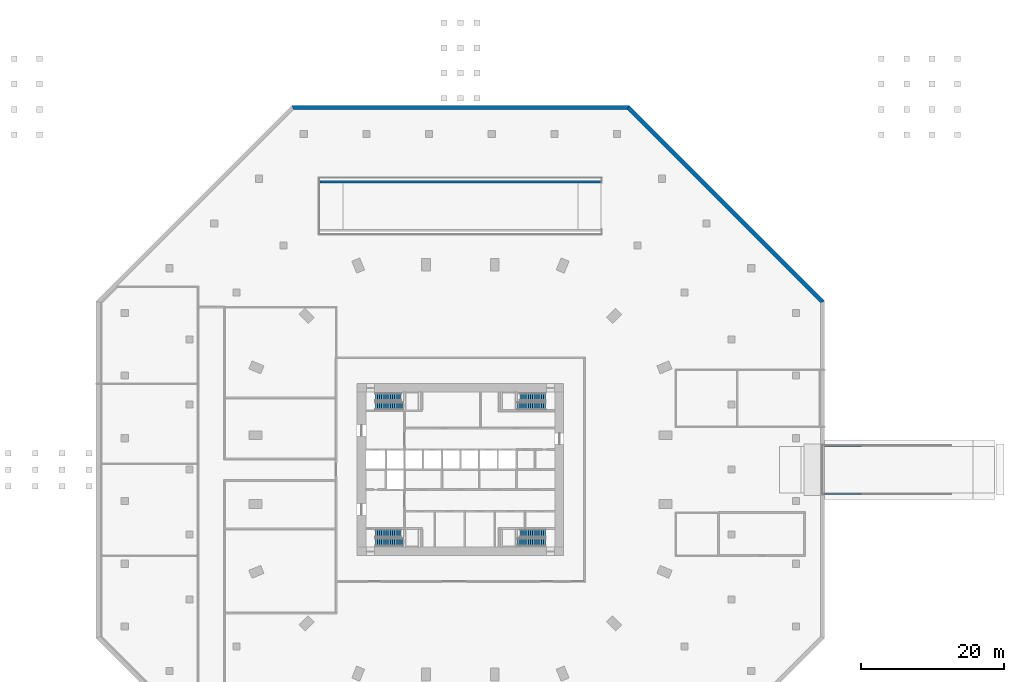
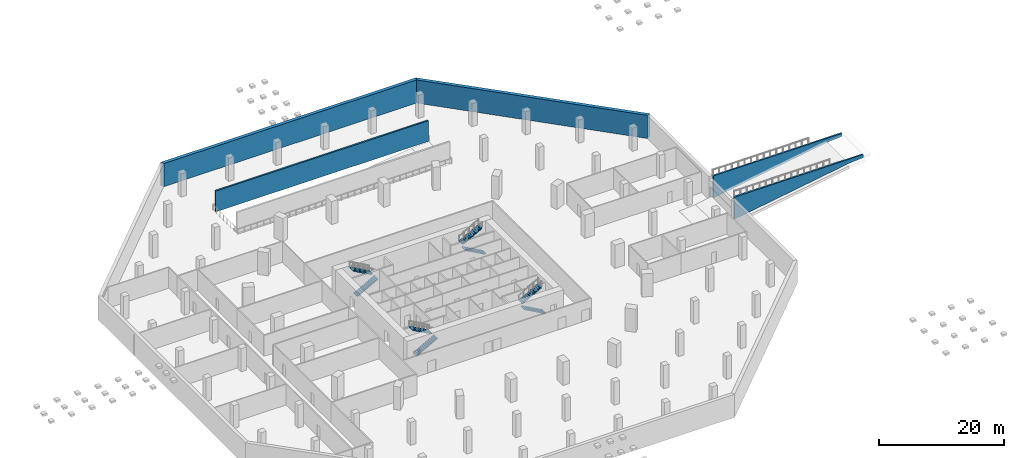
# One storey, part 10 of 11: 8 stair flights, 5 walls, 4 elements without a shape of their own.
"""IFC4 building model written with IfcOpenShell, lengths in metres."""

from ifc_helpers import new_model, si_unit, direction, frame, frame_2d, origin, place, context, subcontext, project, spatial, polyline, rectangle, outline, extrude, material, layer, layer_set, type_object, element, aggregate, save


model = new_model("IFC4")

# Units and contexts
model_context = context("Model", 3, precision=1e-05, world=origin(), true_north=direction((0.0, 1.0)))
body_context = subcontext(model_context, "Body", "Model", "MODEL_VIEW")
ifc_project = project(units=[si_unit("LENGTHUNIT", "METRE"), si_unit("AREAUNIT", "SQUARE_METRE"), si_unit("VOLUMEUNIT", "CUBIC_METRE"), si_unit("PLANEANGLEUNIT", "RADIAN"), si_unit("MASSUNIT", "GRAM", prefix="KILO")], contexts=[model_context])

# Site, building, storey
site_placement = place(None, origin())
site = spatial("IfcSite", under=ifc_project, at=site_placement, CompositionType="ELEMENT")
building_placement = place(site_placement, origin())
building = spatial("IfcBuilding", under=site, at=building_placement, Name="Msitu Wima Residences", CompositionType="ELEMENT")
storey_placement = place(building_placement, frame((0.0, 0.0, -4.5)))
storey = spatial("IfcBuildingStorey", under=building, at=storey_placement, Name="B1", CompositionType="ELEMENT", Elevation=-4.5)

# Walls
ifc_material_1 = material(Name="Facing brick")
ifc_layer_1 = layer(ifc_material_1, 0.06494140625, Name="Facing brick")
ifc_material_2 = material(Name="Concrete C40/50", Category="concrete")
ifc_layer_2 = layer(ifc_material_2, 0.235107421875, Name="Concrete C40/50")
ifc_layer_set_1 = layer_set([ifc_layer_1, ifc_layer_2], Name="Concrete C40/50")
wall_type_1 = type_object("IfcWallType", Name="Ramp retaining wall RW300", PredefinedType="SOLIDWALL", material=ifc_layer_set_1)
for number, where, z_axis, x_axis, name in (
    (1, (50.800048828125, -3.39990234375, 0.35009765625), (0.0, 0.0, 1.0), (1.0, 0.0, 0.0), "Ramp retaining wall S"),
    (2, (50.800048828125, 3.39990234375, 0.35009765625), (0.0, 0.0, 1.0), (1.0, 0.0, 0.0), "Ramp retaining wall N"),
):
    element("IfcWall", number, at=place(storey_placement, frame(where, z_axis=z_axis, x_axis=x_axis)), inside=storey, type_object=wall_type_1, Name=name, PredefinedType="SOLIDWALL", context=body_context, shape_type="SweptSolid", body=[
        extrude(outline(polyline([(0.0, 0.0), (20.699951171875, 3.449951171875), (23.699951171875, 3.699951171875), (23.699951171875, 4.2998046875), (0.0, 4.2998046875), (0.0, 0.0)])), frame((0.0, 0.14990234375, 0.0), z_axis=(0.0, -1.0, 0.0), x_axis=(1.0, 0.0, 0.0)), (0.0, 0.0, 1.0), 0.300048828125),
    ])
ifc_material_3 = material(Name="Concrete C60/75", Category="concrete")
ifc_layer_3 = layer(ifc_material_3, 0.300048828125)
ifc_layer_set_2 = layer_set([ifc_layer_3], Name="Concrete C60/75")
wall_type_2 = type_object("IfcWallType", Name="Ramp tunnel wall RT300", PredefinedType="SOLIDWALL", material=ifc_layer_set_2)
wall_1_placement = place(storey_placement, frame((-19.60009765625, 40.14990234375, 0.0), z_axis=(0.0, 0.0, 1.0), x_axis=(1.0, 0.0, 0.0)))
element("IfcWall", 3, at=wall_1_placement, inside=storey, type_object=wall_type_2, Name="Ramp tunnel wall", PredefinedType="SOLIDWALL", context=body_context, shape_type="SweptSolid", body=[
    extrude(rectangle(XDim=39.2001953125, YDim=0.300048828125, at=frame_2d((19.60009765625, 0.0))), origin(), (0.0, 0.0, 1.0), 4.050048828125),
])
ifc_layer_4 = layer(ifc_material_3, 0.60009765625)
ifc_layer_set_3 = layer_set([ifc_layer_4], Name="Concrete C60/75")
wall_type_3 = type_object("IfcWallType", Name="Retaining wall RW600", PredefinedType="SOLIDWALL", material=ifc_layer_set_3)
wall_2_placement = place(storey_placement, origin())
element("IfcWall", 4, at=wall_2_placement, inside=storey, type_object=wall_type_3, Name="Basement retaining wall NE B1", PredefinedType="SOLIDWALL", context=body_context, shape_type="SweptSolid", body=[
    extrude(outline(polyline([(50.800048828125, 23.5126953125), (23.5126953125, 50.800048828125), (23.26416015625, 50.199951171875), (50.199951171875, 23.26416015625), (50.800048828125, 23.5126953125)])), origin(), (0.0, 0.0, 1.0), 4.5),
])
wall_3_placement = place(storey_placement, origin())
element("IfcWall", 5, at=wall_3_placement, inside=storey, type_object=wall_type_3, Name="Basement retaining wall N B1", PredefinedType="SOLIDWALL", context=body_context, shape_type="SweptSolid", body=[
    extrude(outline(polyline([(23.5126953125, 50.800048828125), (-23.5126953125, 50.800048828125), (-23.26416015625, 50.199951171875), (23.26416015625, 50.199951171875), (23.5126953125, 50.800048828125)])), origin(), (0.0, 0.0, 1.0), 4.5),
])

# Stair, stair flights
stair_type = type_object("IfcStairType", Name="Exit stair ES1667-110", PredefinedType="HALF_TURN_STAIR", material=ifc_material_2)
stair_1_placement = place(storey_placement, origin())
stair_1 = element("IfcStair", 6, at=stair_1_placement, inside=storey, type_object=stair_type, Name="Basement stair 1", PredefinedType="HALF_TURN_STAIR")
stair_flight_type = type_object("IfcStairFlightType", Name="Exit stair flight ES1667-110", PredefinedType="STRAIGHT", material=ifc_material_2)
stair_flight_1_placement = place(storey_placement, frame((-11.875, 8.875, 0.0), z_axis=(0.0, 0.0, 1.0), x_axis=(1.0, 0.0, 0.0)))
stair_flight_1 = element("IfcStairFlight", 7, at=stair_flight_1_placement, type_object=stair_flight_type, Name="BST1 flight 1", NumberOfRisers=14, NumberOfTreads=13, PredefinedType="STRAIGHT", RiserHeight=0.166666667, TreadLength=0.3, context=body_context, shape_type="SweptSolid", body=[
    extrude(outline(polyline([(0.0, 0.0), (0.0, 0.166748046875), (0.300048828125, 0.166748046875), (0.300048828125, 0.333251953125), (0.60009765625, 0.333251953125), (0.60009765625, 0.5), (0.89990234375, 0.5), (0.89990234375, 0.666748046875), (1.199951171875, 0.666748046875), (1.199951171875, 0.833251953125), (1.5, 0.833251953125), (1.5, 1.0), (1.800048828125, 1.0), (1.800048828125, 1.166748046875), (2.10009765625, 1.166748046875), (2.10009765625, 1.333251953125), (2.39990234375, 1.333251953125), (2.39990234375, 1.5), (2.699951171875, 1.5), (2.699951171875, 1.666748046875), (3.0, 1.666748046875), (3.0, 1.833251953125), (3.300048828125, 1.833251953125), (3.300048828125, 2.0), (3.60009765625, 2.0), (3.60009765625, 2.166748046875), (3.89990234375, 2.166748046875), (3.89990234375, 2.333251953125), (3.89990234375, 1.9951171875), (0.30859375, 0.0), (0.0, 0.0)])), frame((0.0, 0.550048828125, 0.0), z_axis=(0.0, -1.0, 0.0), x_axis=(1.0, 0.0, 0.0)), (0.0, 0.0, 1.0), 1.10009765625),
])
stair_flight_2_placement = place(storey_placement, frame((-8.27490234375, 10.125, 2.333251953125), z_axis=(0.0, 0.0, 1.0), x_axis=(-1.0, 0.0, 0.0)))
stair_flight_2 = element("IfcStairFlight", 8, at=stair_flight_2_placement, type_object=stair_flight_type, Name="BST1 flight 2", NumberOfRisers=13, NumberOfTreads=12, PredefinedType="STRAIGHT", RiserHeight=0.166666667, TreadLength=0.3, context=body_context, shape_type="SweptSolid", body=[
    extrude(outline(polyline([(0.0, 0.0), (0.0, 0.166748046875), (0.300048828125, 0.166748046875), (0.300048828125, 0.333251953125), (0.60009765625, 0.333251953125), (0.60009765625, 0.5), (0.89990234375, 0.5), (0.89990234375, 0.666748046875), (1.199951171875, 0.666748046875), (1.199951171875, 0.833251953125), (1.5, 0.833251953125), (1.5, 1.0), (1.800048828125, 1.0), (1.800048828125, 1.166748046875), (2.10009765625, 1.166748046875), (2.10009765625, 1.333251953125), (2.39990234375, 1.333251953125), (2.39990234375, 1.5), (2.699951171875, 1.5), (2.699951171875, 1.666748046875), (3.0, 1.666748046875), (3.0, 1.833251953125), (3.300048828125, 1.833251953125), (3.300048828125, 2.0), (3.60009765625, 2.0), (3.60009765625, 2.166748046875), (3.60009765625, 1.82861328125), (0.30859375, 0.0), (0.0, 0.0)])), frame((0.0, 0.550048828125, 0.0), z_axis=(0.0, -1.0, 0.0), x_axis=(1.0, 0.0, 0.0)), (0.0, 0.0, 1.0), 1.10009765625),
])
aggregate(stair_1, [stair_flight_1, stair_flight_2])

stair_2_placement = place(storey_placement, origin())
stair_2 = element("IfcStair", 9, at=stair_2_placement, inside=storey, type_object=stair_type, Name="Basement stair 2", PredefinedType="HALF_TURN_STAIR")
stair_flight_3_placement = place(storey_placement, frame((-11.875, -10.125, 0.0), z_axis=(0.0, 0.0, 1.0), x_axis=(1.0, 0.0, 0.0)))
stair_flight_3 = element("IfcStairFlight", 10, at=stair_flight_3_placement, type_object=stair_flight_type, Name="BST2 flight 1", NumberOfRisers=14, NumberOfTreads=13, PredefinedType="STRAIGHT", RiserHeight=0.166666667, TreadLength=0.3, context=body_context, shape_type="SweptSolid", body=[
    extrude(outline(polyline([(0.0, 0.0), (0.0, 0.166748046875), (0.300048828125, 0.166748046875), (0.300048828125, 0.333251953125), (0.60009765625, 0.333251953125), (0.60009765625, 0.5), (0.89990234375, 0.5), (0.89990234375, 0.666748046875), (1.199951171875, 0.666748046875), (1.199951171875, 0.833251953125), (1.5, 0.833251953125), (1.5, 1.0), (1.800048828125, 1.0), (1.800048828125, 1.166748046875), (2.10009765625, 1.166748046875), (2.10009765625, 1.333251953125), (2.39990234375, 1.333251953125), (2.39990234375, 1.5), (2.699951171875, 1.5), (2.699951171875, 1.666748046875), (3.0, 1.666748046875), (3.0, 1.833251953125), (3.300048828125, 1.833251953125), (3.300048828125, 2.0), (3.60009765625, 2.0), (3.60009765625, 2.166748046875), (3.89990234375, 2.166748046875), (3.89990234375, 2.333251953125), (3.89990234375, 1.9951171875), (0.30859375, 0.0), (0.0, 0.0)])), frame((0.0, 0.550048828125, 0.0), z_axis=(0.0, -1.0, 0.0), x_axis=(1.0, 0.0, 0.0)), (0.0, 0.0, 1.0), 1.10009765625),
])
stair_flight_4_placement = place(storey_placement, frame((-8.27490234375, -8.875, 2.333251953125), z_axis=(0.0, 0.0, 1.0), x_axis=(-1.0, 0.0, 0.0)))
stair_flight_4 = element("IfcStairFlight", 11, at=stair_flight_4_placement, type_object=stair_flight_type, Name="BST2 flight 2", NumberOfRisers=13, NumberOfTreads=12, PredefinedType="STRAIGHT", RiserHeight=0.166666667, TreadLength=0.3, context=body_context, shape_type="SweptSolid", body=[
    extrude(outline(polyline([(0.0, 0.0), (0.0, 0.166748046875), (0.300048828125, 0.166748046875), (0.300048828125, 0.333251953125), (0.60009765625, 0.333251953125), (0.60009765625, 0.5), (0.89990234375, 0.5), (0.89990234375, 0.666748046875), (1.199951171875, 0.666748046875), (1.199951171875, 0.833251953125), (1.5, 0.833251953125), (1.5, 1.0), (1.800048828125, 1.0), (1.800048828125, 1.166748046875), (2.10009765625, 1.166748046875), (2.10009765625, 1.333251953125), (2.39990234375, 1.333251953125), (2.39990234375, 1.5), (2.699951171875, 1.5), (2.699951171875, 1.666748046875), (3.0, 1.666748046875), (3.0, 1.833251953125), (3.300048828125, 1.833251953125), (3.300048828125, 2.0), (3.60009765625, 2.0), (3.60009765625, 2.166748046875), (3.60009765625, 1.82861328125), (0.30859375, 0.0), (0.0, 0.0)])), frame((0.0, 0.550048828125, 0.0), z_axis=(0.0, -1.0, 0.0), x_axis=(1.0, 0.0, 0.0)), (0.0, 0.0, 1.0), 1.10009765625),
])
aggregate(stair_2, [stair_flight_3, stair_flight_4])

stair_3_placement = place(storey_placement, origin())
stair_3 = element("IfcStair", 12, at=stair_3_placement, inside=storey, type_object=stair_type, Name="Basement stair 3", PredefinedType="HALF_TURN_STAIR")
stair_flight_5_placement = place(storey_placement, frame((11.875, 8.875, 0.0), z_axis=(0.0, 0.0, 1.0), x_axis=(-1.0, 0.0, 0.0)))
stair_flight_5 = element("IfcStairFlight", 13, at=stair_flight_5_placement, type_object=stair_flight_type, Name="BST3 flight 1", NumberOfRisers=14, NumberOfTreads=13, PredefinedType="STRAIGHT", RiserHeight=0.166666667, TreadLength=0.3, context=body_context, shape_type="SweptSolid", body=[
    extrude(outline(polyline([(0.0, 0.0), (0.0, 0.166748046875), (0.300048828125, 0.166748046875), (0.300048828125, 0.333251953125), (0.60009765625, 0.333251953125), (0.60009765625, 0.5), (0.89990234375, 0.5), (0.89990234375, 0.666748046875), (1.199951171875, 0.666748046875), (1.199951171875, 0.833251953125), (1.5, 0.833251953125), (1.5, 1.0), (1.800048828125, 1.0), (1.800048828125, 1.166748046875), (2.10009765625, 1.166748046875), (2.10009765625, 1.333251953125), (2.39990234375, 1.333251953125), (2.39990234375, 1.5), (2.699951171875, 1.5), (2.699951171875, 1.666748046875), (3.0, 1.666748046875), (3.0, 1.833251953125), (3.300048828125, 1.833251953125), (3.300048828125, 2.0), (3.60009765625, 2.0), (3.60009765625, 2.166748046875), (3.89990234375, 2.166748046875), (3.89990234375, 2.333251953125), (3.89990234375, 1.9951171875), (0.30859375, 0.0), (0.0, 0.0)])), frame((0.0, 0.550048828125, 0.0), z_axis=(0.0, -1.0, 0.0), x_axis=(1.0, 0.0, 0.0)), (0.0, 0.0, 1.0), 1.10009765625),
])
stair_flight_6_placement = place(storey_placement, frame((8.27490234375, 10.125, 2.333251953125), z_axis=(0.0, 0.0, 1.0), x_axis=(1.0, 0.0, 0.0)))
stair_flight_6 = element("IfcStairFlight", 14, at=stair_flight_6_placement, type_object=stair_flight_type, Name="BST3 flight 2", NumberOfRisers=13, NumberOfTreads=12, PredefinedType="STRAIGHT", RiserHeight=0.166666667, TreadLength=0.3, context=body_context, shape_type="SweptSolid", body=[
    extrude(outline(polyline([(0.0, 0.0), (0.0, 0.166748046875), (0.300048828125, 0.166748046875), (0.300048828125, 0.333251953125), (0.60009765625, 0.333251953125), (0.60009765625, 0.5), (0.89990234375, 0.5), (0.89990234375, 0.666748046875), (1.199951171875, 0.666748046875), (1.199951171875, 0.833251953125), (1.5, 0.833251953125), (1.5, 1.0), (1.800048828125, 1.0), (1.800048828125, 1.166748046875), (2.10009765625, 1.166748046875), (2.10009765625, 1.333251953125), (2.39990234375, 1.333251953125), (2.39990234375, 1.5), (2.699951171875, 1.5), (2.699951171875, 1.666748046875), (3.0, 1.666748046875), (3.0, 1.833251953125), (3.300048828125, 1.833251953125), (3.300048828125, 2.0), (3.60009765625, 2.0), (3.60009765625, 2.166748046875), (3.60009765625, 1.82861328125), (0.30859375, 0.0), (0.0, 0.0)])), frame((0.0, 0.550048828125, 0.0), z_axis=(0.0, -1.0, 0.0), x_axis=(1.0, 0.0, 0.0)), (0.0, 0.0, 1.0), 1.10009765625),
])
aggregate(stair_3, [stair_flight_5, stair_flight_6])

stair_4_placement = place(storey_placement, origin())
stair_4 = element("IfcStair", 15, at=stair_4_placement, inside=storey, type_object=stair_type, Name="Basement stair 4", PredefinedType="HALF_TURN_STAIR")
stair_flight_7_placement = place(storey_placement, frame((11.875, -10.125, 0.0), z_axis=(0.0, 0.0, 1.0), x_axis=(-1.0, 0.0, 0.0)))
stair_flight_7 = element("IfcStairFlight", 16, at=stair_flight_7_placement, type_object=stair_flight_type, Name="BST4 flight 1", NumberOfRisers=14, NumberOfTreads=13, PredefinedType="STRAIGHT", RiserHeight=0.166666667, TreadLength=0.3, context=body_context, shape_type="SweptSolid", body=[
    extrude(outline(polyline([(0.0, 0.0), (0.0, 0.166748046875), (0.300048828125, 0.166748046875), (0.300048828125, 0.333251953125), (0.60009765625, 0.333251953125), (0.60009765625, 0.5), (0.89990234375, 0.5), (0.89990234375, 0.666748046875), (1.199951171875, 0.666748046875), (1.199951171875, 0.833251953125), (1.5, 0.833251953125), (1.5, 1.0), (1.800048828125, 1.0), (1.800048828125, 1.166748046875), (2.10009765625, 1.166748046875), (2.10009765625, 1.333251953125), (2.39990234375, 1.333251953125), (2.39990234375, 1.5), (2.699951171875, 1.5), (2.699951171875, 1.666748046875), (3.0, 1.666748046875), (3.0, 1.833251953125), (3.300048828125, 1.833251953125), (3.300048828125, 2.0), (3.60009765625, 2.0), (3.60009765625, 2.166748046875), (3.89990234375, 2.166748046875), (3.89990234375, 2.333251953125), (3.89990234375, 1.9951171875), (0.30859375, 0.0), (0.0, 0.0)])), frame((0.0, 0.550048828125, 0.0), z_axis=(0.0, -1.0, 0.0), x_axis=(1.0, 0.0, 0.0)), (0.0, 0.0, 1.0), 1.10009765625),
])
stair_flight_8_placement = place(storey_placement, frame((8.27490234375, -8.875, 2.333251953125), z_axis=(0.0, 0.0, 1.0), x_axis=(1.0, 0.0, 0.0)))
stair_flight_8 = element("IfcStairFlight", 17, at=stair_flight_8_placement, type_object=stair_flight_type, Name="BST4 flight 2", NumberOfRisers=13, NumberOfTreads=12, PredefinedType="STRAIGHT", RiserHeight=0.166666667, TreadLength=0.3, context=body_context, shape_type="SweptSolid", body=[
    extrude(outline(polyline([(0.0, 0.0), (0.0, 0.166748046875), (0.300048828125, 0.166748046875), (0.300048828125, 0.333251953125), (0.60009765625, 0.333251953125), (0.60009765625, 0.5), (0.89990234375, 0.5), (0.89990234375, 0.666748046875), (1.199951171875, 0.666748046875), (1.199951171875, 0.833251953125), (1.5, 0.833251953125), (1.5, 1.0), (1.800048828125, 1.0), (1.800048828125, 1.166748046875), (2.10009765625, 1.166748046875), (2.10009765625, 1.333251953125), (2.39990234375, 1.333251953125), (2.39990234375, 1.5), (2.699951171875, 1.5), (2.699951171875, 1.666748046875), (3.0, 1.666748046875), (3.0, 1.833251953125), (3.300048828125, 1.833251953125), (3.300048828125, 2.0), (3.60009765625, 2.0), (3.60009765625, 2.166748046875), (3.60009765625, 1.82861328125), (0.30859375, 0.0), (0.0, 0.0)])), frame((0.0, 0.550048828125, 0.0), z_axis=(0.0, -1.0, 0.0), x_axis=(1.0, 0.0, 0.0)), (0.0, 0.0, 1.0), 1.10009765625),
])
aggregate(stair_4, [stair_flight_7, stair_flight_8])

save(model, "model.ifc")
